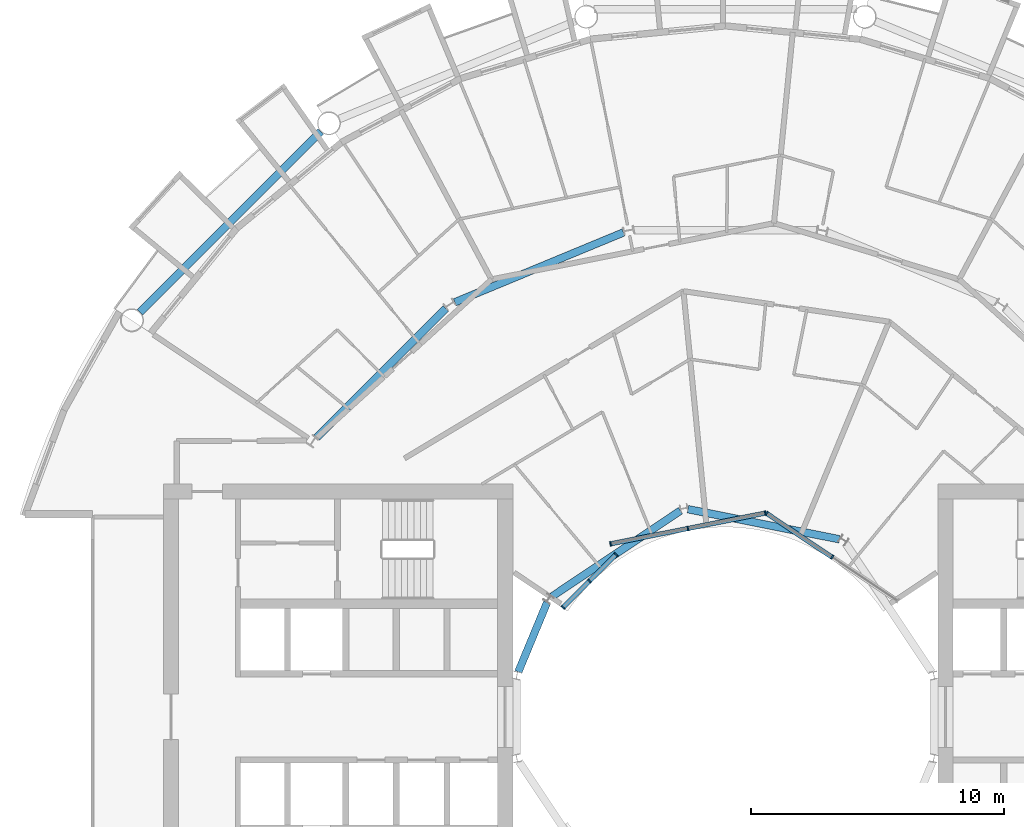
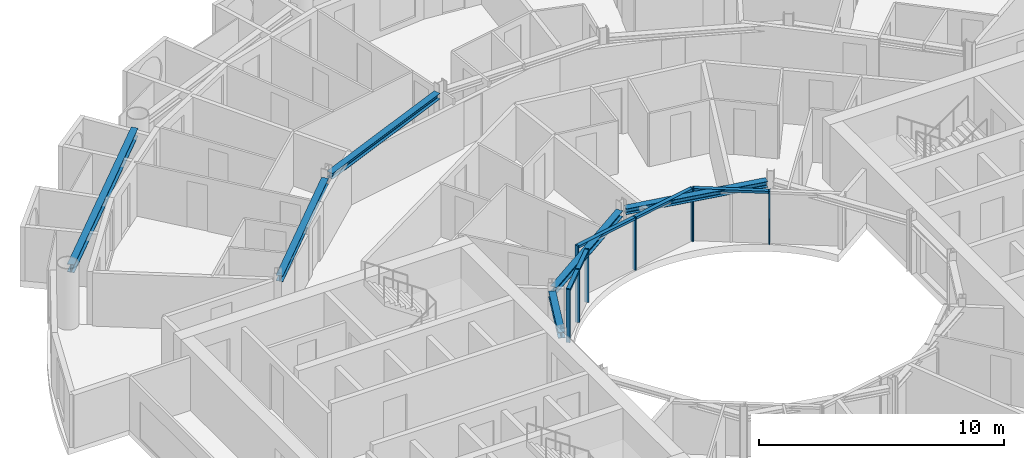
# One storey, part 8 of 27: 13 members, 6 beams, 3 elements without a shape of their own.
"""IFC4 building model written with IfcOpenShell, lengths in metres."""

from ifc_helpers import new_model, si_unit, direction, frame, origin, origin_2d, place, context, subcontext, project, spatial, rectangle, i_section, extrude, material, layer, layer_set, material_profile, profile_set, type_object, element, aggregate, save


model = new_model("IFC4")

# Units and contexts
model_context = context("Model", 3, precision=1e-05, world=origin(), true_north=direction((0.0, 1.0)))
body_context = subcontext(model_context, "Body", "Model", "MODEL_VIEW")
ifc_project = project(units=[si_unit("LENGTHUNIT", "METRE"), si_unit("AREAUNIT", "SQUARE_METRE"), si_unit("VOLUMEUNIT", "CUBIC_METRE"), si_unit("PLANEANGLEUNIT", "RADIAN"), si_unit("MASSUNIT", "GRAM", prefix="KILO")], contexts=[model_context])

# Site, building, storey
site_placement = place(None, origin())
site = spatial("IfcSite", under=ifc_project, at=site_placement, CompositionType="ELEMENT")
building_placement = place(site_placement, origin())
building = spatial("IfcBuilding", under=site, at=building_placement, Name="Maasbend Ring Residences", CompositionType="ELEMENT")
storey_placement = place(building_placement, frame((0.0, 0.0, 136.050048828125)))
storey = spatial("IfcBuildingStorey", under=building, at=storey_placement, Name="L39", CompositionType="ELEMENT", Elevation=136.050048828125)

# Curtain wall, members
ifc_material_1 = material(Name="Aluminium and clear glass", Category="aluminium")
ifc_layer = layer(ifc_material_1, 0.179931640625)
ifc_layer_set = layer_set([ifc_layer], Name="CW-W")
curtain_wall_type = type_object("IfcCurtainWallType", Name="CW-W", PredefinedType="NOTDEFINED", material=ifc_layer_set)
curtain_wall_1_placement = place(storey_placement, origin())
curtain_wall_1 = element("IfcCurtainWall", 1, at=curtain_wall_1_placement, inside=storey, type_object=curtain_wall_type, Name="Well curtain wall N1", PredefinedType="NOTDEFINED")
ifc_material_2 = material(Name="Aluminium 6063-T6", Category="aluminium")
ifc_material_profile_1 = material_profile(ifc_material_2, rectangle(XDim=0.179931640625, YDim=0.06005859375, at=origin_2d()), Name="AL 180x60")
ifc_profile_set_1 = profile_set([ifc_material_profile_1], Name="Aluminium 6063-T6")
member_type_1 = type_object("IfcMemberType", Name="CWM-W", PredefinedType="MULLION", material=ifc_profile_set_1)
member_1_placement = place(storey_placement, frame((4.216796875, 6.310791015625, 0.0), z_axis=(0.0, 0.0, 1.0), x_axis=(-0.55557023302, -0.831469612303, 0.0)))
member_1 = element("IfcMember", 2, at=member_1_placement, type_object=member_type_1, Name="Mullion well face", PredefinedType="MULLION", context=body_context, shape_type="SweptSolid", body=[
    extrude(rectangle(XDim=0.179931640625, YDim=0.06005859375, at=origin_2d()), origin(), (0.0, 0.0, 1.0), 2.64990234375),
])
member_2_placement = place(storey_placement, frame((1.627685546875, 8.040771484375, 0.0), z_axis=(0.0, 0.0, 1.0), x_axis=(-0.55557023302, -0.831469612303, 0.0)))
member_2 = element("IfcMember", 3, at=member_2_placement, type_object=member_type_1, Name="Mullion well face", PredefinedType="MULLION", context=body_context, shape_type="SweptSolid", body=[
    extrude(rectangle(XDim=0.179931640625, YDim=0.06005859375, at=origin_2d()), origin(), (0.0, 0.0, 1.0), 2.64990234375),
])

curtain_wall_2_placement = place(storey_placement, origin())
curtain_wall_2 = element("IfcCurtainWall", 4, at=curtain_wall_2_placement, inside=storey, type_object=curtain_wall_type, Name="Well curtain wall N2", PredefinedType="NOTDEFINED")
member_3_placement = place(storey_placement, frame((1.5732421875, 8.0517578125, 0.0), z_axis=(0.0, 0.0, 1.0), x_axis=(0.195090322016, -0.980785280403, 0.0)))
member_3 = element("IfcMember", 5, at=member_3_placement, type_object=member_type_1, Name="Mullion well face", PredefinedType="MULLION", context=body_context, shape_type="SweptSolid", body=[
    extrude(rectangle(XDim=0.179931640625, YDim=0.06005859375, at=origin_2d()), origin(), (0.0, 0.0, 1.0), 2.64990234375),
])
member_4_placement = place(storey_placement, frame((-1.480712890625, 7.444091796875, 0.0), z_axis=(0.0, 0.0, 1.0), x_axis=(0.195090322016, -0.980785280403, 0.0)))
member_4 = element("IfcMember", 6, at=member_4_placement, type_object=member_type_1, Name="Mullion well face", PredefinedType="MULLION", context=body_context, shape_type="SweptSolid", body=[
    extrude(rectangle(XDim=0.179931640625, YDim=0.06005859375, at=origin_2d()), origin(), (0.0, 0.0, 1.0), 2.64990234375),
])
member_5_placement = place(storey_placement, frame((-4.53466796875, 6.836669921875, 0.0), z_axis=(0.0, 0.0, 1.0), x_axis=(0.195090322016, -0.980785280403, 0.0)))
member_5 = element("IfcMember", 7, at=member_5_placement, type_object=member_type_1, Name="Mullion well face", PredefinedType="MULLION", context=body_context, shape_type="SweptSolid", body=[
    extrude(rectangle(XDim=0.179931640625, YDim=0.06005859375, at=origin_2d()), origin(), (0.0, 0.0, 1.0), 2.64990234375),
])

curtain_wall_3_placement = place(storey_placement, origin())
curtain_wall_3 = element("IfcCurtainWall", 8, at=curtain_wall_3_placement, inside=storey, type_object=curtain_wall_type, Name="Well curtain wall N3", PredefinedType="NOTDEFINED")
member_6_placement = place(storey_placement, frame((-4.320556640625, 6.413330078125, 0.0), z_axis=(0.0, 0.0, 1.0), x_axis=(0.707106781187, -0.707106781187, 0.0)))
member_6 = element("IfcMember", 9, at=member_6_placement, type_object=member_type_1, Name="Mullion well face", PredefinedType="MULLION", context=body_context, shape_type="SweptSolid", body=[
    extrude(rectangle(XDim=0.179931640625, YDim=0.06005859375, at=origin_2d()), origin(), (0.0, 0.0, 1.0), 2.64990234375),
])
member_7_placement = place(storey_placement, frame((-5.366943359375, 5.366943359375, 0.0), z_axis=(0.0, 0.0, 1.0), x_axis=(0.707106781187, -0.707106781187, 0.0)))
member_7 = element("IfcMember", 10, at=member_7_placement, type_object=member_type_1, Name="Mullion well face", PredefinedType="MULLION", context=body_context, shape_type="SweptSolid", body=[
    extrude(rectangle(XDim=0.179931640625, YDim=0.06005859375, at=origin_2d()), origin(), (0.0, 0.0, 1.0), 2.64990234375),
])
member_8_placement = place(storey_placement, frame((-6.413330078125, 4.320556640625, 0.0), z_axis=(0.0, 0.0, 1.0), x_axis=(0.707106781187, -0.707106781187, 0.0)))
member_8 = element("IfcMember", 11, at=member_8_placement, type_object=member_type_1, Name="Mullion well face", PredefinedType="MULLION", context=body_context, shape_type="SweptSolid", body=[
    extrude(rectangle(XDim=0.179931640625, YDim=0.06005859375, at=origin_2d()), origin(), (0.0, 0.0, 1.0), 2.64990234375),
])

# Member
ifc_material_3 = material(Name="Aluminium 6063-T6", Category="aluminium")
ifc_material_profile_2 = material_profile(ifc_material_3, rectangle(XDim=0.179931640625, YDim=0.1201171875, at=origin_2d()), Name="AL 180x120")
ifc_profile_set_2 = profile_set([ifc_material_profile_2], Name="Aluminium 6063-T6")
member_type_2 = type_object("IfcMemberType", Name="CWT-W", PredefinedType="USERDEFINED", material=ifc_profile_set_2)
member_9_placement = place(storey_placement, frame((4.19189453125, 6.32763671875, 2.58984375), z_axis=(-0.831496422459, 0.555530106689, 0.0), x_axis=(-0.555530106689, -0.831496422459, 0.0)))
member_9 = element("IfcMember", 12, at=member_9_placement, type_object=member_type_2, Name="Transom well face", ObjectType="TRANSOM", PredefinedType="USERDEFINED", context=body_context, shape_type="SweptSolid", body=[
    extrude(rectangle(XDim=0.179931640625, YDim=0.1201171875, at=origin_2d()), origin(), (0.0, 0.0, 1.0), 3.053955078125),
])

aggregate(curtain_wall_1, [member_1, member_2, member_9])

member_10_placement = place(storey_placement, frame((1.5439453125, 8.0458984375, 2.58984375), z_axis=(-0.980776956105, -0.195132166424, 0.0), x_axis=(0.195132166424, -0.980776956105, 0.0)))
member_10 = element("IfcMember", 13, at=member_10_placement, type_object=member_type_2, Name="Transom well face", ObjectType="TRANSOM", PredefinedType="USERDEFINED", context=body_context, shape_type="SweptSolid", body=[
    extrude(rectangle(XDim=0.179931640625, YDim=0.1201171875, at=origin_2d()), origin(), (0.0, 0.0, 1.0), 3.053955078125),
])

member_11_placement = place(storey_placement, frame((-1.51025390625, 7.438232421875, 2.58984375), z_axis=(-0.980789210404, -0.19507056353, 0.0), x_axis=(0.19507056353, -0.980789210404, 0.0)))
member_11 = element("IfcMember", 14, at=member_11_placement, type_object=member_type_2, Name="Transom well face", ObjectType="TRANSOM", PredefinedType="USERDEFINED", context=body_context, shape_type="SweptSolid", body=[
    extrude(rectangle(XDim=0.179931640625, YDim=0.1201171875, at=origin_2d()), origin(), (0.0, 0.0, 1.0), 3.0537109375),
])

aggregate(curtain_wall_2, [member_3, member_4, member_5, member_10, member_11])

member_12_placement = place(storey_placement, frame((-4.341796875, 6.39208984375, 2.58984375), z_axis=(-0.707106781187, -0.707106781187, 0.0), x_axis=(0.707106781187, -0.707106781187, 0.0)))
member_12 = element("IfcMember", 15, at=member_12_placement, type_object=member_type_2, Name="Transom well face", ObjectType="TRANSOM", PredefinedType="USERDEFINED", context=body_context, shape_type="SweptSolid", body=[
    extrude(rectangle(XDim=0.179931640625, YDim=0.1201171875, at=origin_2d()), origin(), (0.0, 0.0, 1.0), 1.419677734375),
])

member_13_placement = place(storey_placement, frame((-5.38818359375, 5.345703125, 2.58984375), z_axis=(-0.707106781187, -0.707106781187, 0.0), x_axis=(0.707106781187, -0.707106781187, 0.0)))
member_13 = element("IfcMember", 16, at=member_13_placement, type_object=member_type_2, Name="Transom well face", ObjectType="TRANSOM", PredefinedType="USERDEFINED", context=body_context, shape_type="SweptSolid", body=[
    extrude(rectangle(XDim=0.179931640625, YDim=0.1201171875, at=origin_2d()), origin(), (0.0, 0.0, 1.0), 1.419677734375),
])

aggregate(curtain_wall_3, [member_6, member_7, member_8, member_12, member_13])

# Beams
ifc_material_4 = material(Name="Steel S355J2", Category="steel")
ifc_material_profile_3 = material_profile(ifc_material_4, i_section(OverallWidth=0.300048828125, OverallDepth=0.2900390625, WebThickness=0.008544921875, FlangeThickness=0.013916015625, FilletRadius=0.027099609375, at=origin_2d()), Name="HEA 300")
ifc_profile_set_3 = profile_set([ifc_material_profile_3], Name="Steel S355J2")
beam_type_1 = type_object("IfcBeamType", Name="Corridor ring beam HEA 300", PredefinedType="BEAM", material=ifc_profile_set_3)
for number, where, z_axis, x_axis, name in (
    (17, (-4.02734375, 19.13916015625, 2.5048828125), (-0.923877693919, -0.382687871089, 0.0), (0.382687871089, -0.923877693919, 0.0), "Corridor ring beam"),
    (18, (-11.044921875, 16.14111328125, 2.5048828125), (-0.707106781187, -0.707106781187, 0.0), (0.707106781187, -0.707106781187, 0.0), "Corridor ring beam"),
):
    element("IfcBeam", number, at=place(storey_placement, frame(where, z_axis=z_axis, x_axis=x_axis)), inside=storey, type_object=beam_type_1, Name=name, PredefinedType="BEAM", context=body_context, shape_type="SweptSolid", body=[
        extrude(i_section(OverallWidth=0.300048828125, OverallDepth=0.2900390625, WebThickness=0.008544921875, FlangeThickness=0.013916015625, FilletRadius=0.027099609375, at=origin_2d()), origin(), (0.0, 0.0, 1.0), 7.20703125),
    ])
ifc_material_5 = material(Name="Steel S355J2", Category="steel")
ifc_material_profile_4 = material_profile(ifc_material_5, i_section(OverallWidth=0.300048828125, OverallDepth=0.39990234375, WebThickness=0.013427734375, FlangeThickness=0.02392578125, FilletRadius=0.027099609375, at=origin_2d()), Name="HEB 400")
ifc_profile_set_4 = profile_set([ifc_material_profile_4], Name="Steel S355J2")
beam_type_2 = type_object("IfcBeamType", Name="Spandrel ring beam HEB 400", PredefinedType="SPANDREL", material=ifc_profile_set_4)
beam_1_placement = place(storey_placement, frame((-15.990234375, 23.124267578125, 2.449951171875), z_axis=(-0.707106781187, -0.707106781187, 0.0), x_axis=(0.707106781187, -0.707106781187, 0.0)))
element("IfcBeam", 19, at=beam_1_placement, inside=storey, type_object=beam_type_2, Name="Spandrel ring beam", PredefinedType="SPANDREL", context=body_context, shape_type="SweptSolid", body=[
    extrude(i_section(OverallWidth=0.300048828125, OverallDepth=0.39990234375, WebThickness=0.013427734375, FlangeThickness=0.02392578125, FilletRadius=0.027099609375, at=origin_2d()), origin(), (0.0, 0.0, 1.0), 10.089111328125),
])
ifc_material_6 = material(Name="Steel S355J2", Category="steel")
ifc_material_profile_5 = material_profile(ifc_material_6, i_section(OverallWidth=0.300048828125, OverallDepth=0.2900390625, WebThickness=0.008544921875, FlangeThickness=0.013916015625, FilletRadius=0.027099609375, at=origin_2d()), Name="HEA 300")
ifc_profile_set_5 = profile_set([ifc_material_profile_5], Name="Steel S355J2")
beam_type_3 = type_object("IfcBeamType", Name="Well edge beam HEA 300", PredefinedType="BEAM", material=ifc_profile_set_5)
beam_2_placement = place(storey_placement, frame((4.507568359375, 7.01611328125, 2.5048828125), z_axis=(-0.980792381321, 0.195054619896, 0.0), x_axis=(-0.195054619896, -0.980792381321, 0.0)))
element("IfcBeam", 20, at=beam_2_placement, inside=storey, type_object=beam_type_3, Name="Well edge beam", PredefinedType="BEAM", context=body_context, shape_type="SweptSolid", body=[
    extrude(i_section(OverallWidth=0.300048828125, OverallDepth=0.2900390625, WebThickness=0.008544921875, FlangeThickness=0.013916015625, FilletRadius=0.027099609375, at=origin_2d()), origin(), (0.0, 0.0, 1.0), 6.104248046875),
])
beam_3_placement = place(storey_placement, frame((-1.773681640625, 8.1484375, 2.5048828125), z_axis=(-0.831477628137, -0.555558236289, 0.0), x_axis=(0.555558236289, -0.831477628137, 0.0)))
element("IfcBeam", 21, at=beam_3_placement, inside=storey, type_object=beam_type_3, Name="Well edge beam", PredefinedType="BEAM", context=body_context, shape_type="SweptSolid", body=[
    extrude(i_section(OverallWidth=0.300048828125, OverallDepth=0.2900390625, WebThickness=0.008544921875, FlangeThickness=0.013916015625, FilletRadius=0.027099609375, at=origin_2d()), origin(), (0.0, 0.0, 1.0), 6.1044921875),
])
beam_4_placement = place(storey_placement, frame((-7.042724609375, 4.525390625, 2.5048828125), z_axis=(-0.382765370874, -0.923845588212, 0.0), x_axis=(0.923845588212, -0.382765370874, 0.0)))
element("IfcBeam", 22, at=beam_4_placement, inside=storey, type_object=beam_type_3, Name="Well edge beam", PredefinedType="BEAM", context=body_context, shape_type="SweptSolid", body=[
    extrude(i_section(OverallWidth=0.300048828125, OverallDepth=0.2900390625, WebThickness=0.008544921875, FlangeThickness=0.013916015625, FilletRadius=0.027099609375, at=origin_2d()), origin(), (0.0, 0.0, 1.0), 2.9716796875),
])

save(model, "model.ifc")
